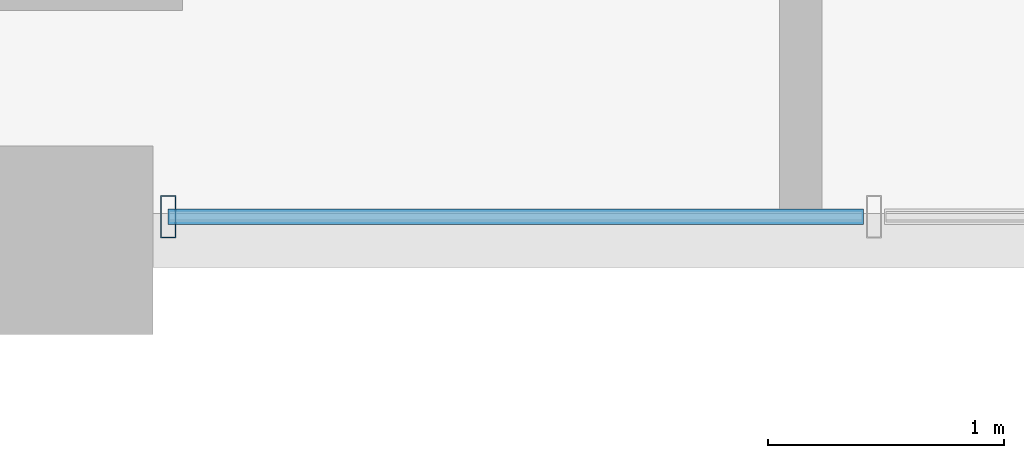
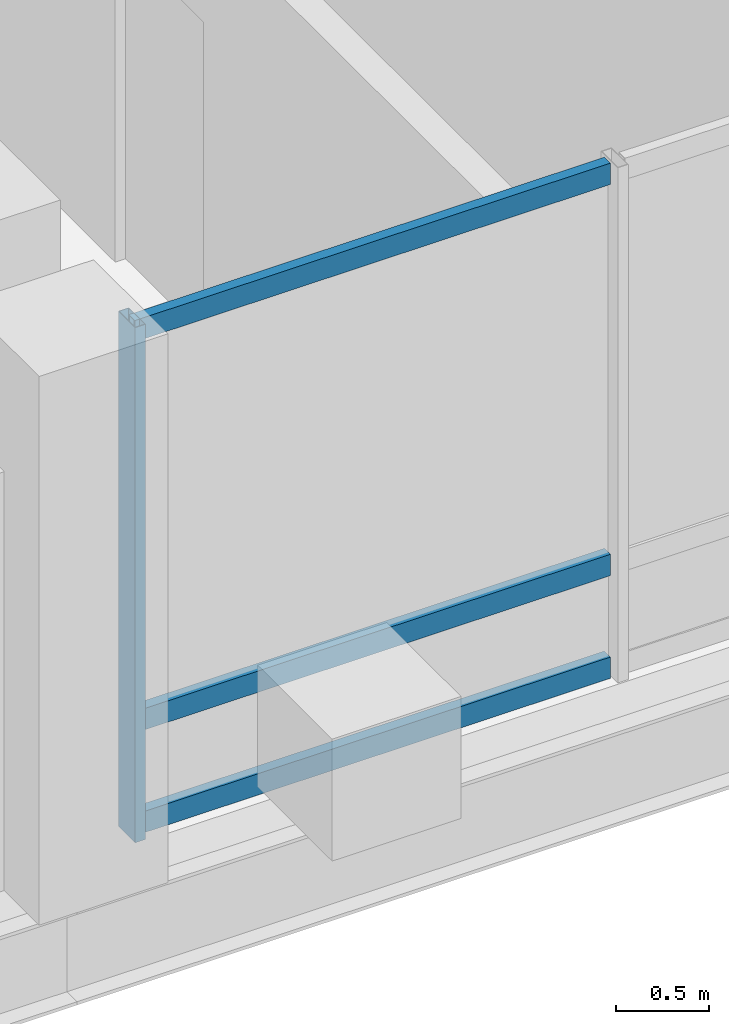
# One storey, part 2 of 24: 4 members, 1 element without a shape of its own.
"""IFC4 building model written with IfcOpenShell, lengths in metres."""

from ifc_helpers import new_model, si_unit, direction, frame, origin, origin_2d, place, context, subcontext, project, spatial, hollow_rectangle, extrude, material, layer, layer_set, material_profile, profile_set, type_object, element, aggregate, save


model = new_model("IFC4")

# Units and contexts
model_context = context("Model", 3, precision=1e-05, world=origin(), true_north=direction((0.0, 1.0)))
body_context = subcontext(model_context, "Body", "Model", "MODEL_VIEW")
ifc_project = project(units=[si_unit("LENGTHUNIT", "METRE"), si_unit("AREAUNIT", "SQUARE_METRE"), si_unit("VOLUMEUNIT", "CUBIC_METRE"), si_unit("PLANEANGLEUNIT", "RADIAN"), si_unit("MASSUNIT", "GRAM", prefix="KILO")], contexts=[model_context])

# Site, building, storey
site_placement = place(None, origin())
site = spatial("IfcSite", under=ifc_project, at=site_placement, CompositionType="ELEMENT")
building_placement = place(site_placement, origin())
building = spatial("IfcBuilding", under=site, at=building_placement, Name="Barlavira Tower and Art Museum", CompositionType="ELEMENT")
storey_placement = place(building_placement, frame((0.0, 0.0, 190.800048828125)))
storey = spatial("IfcBuildingStorey", under=building, at=storey_placement, Name="L49", CompositionType="ELEMENT", Elevation=190.800048828125)

# Curtain wall, members
ifc_material_1 = material(Name="Low-iron coastal laminated glass", Category="glass")
ifc_layer = layer(ifc_material_1, 0.199951171875, Name="Low-iron coastal laminated glass")
ifc_layer_set = layer_set([ifc_layer], Name="Low-iron coastal laminated glass")
curtain_wall_type = type_object("IfcCurtainWallType", Name="Pale-Metal Unitised Curtain Wall Zone 3", PredefinedType="NOTDEFINED", material=ifc_layer_set)
curtain_wall_placement = place(storey_placement, origin())
curtain_wall = element("IfcCurtainWall", 1, at=curtain_wall_placement, inside=storey, type_object=curtain_wall_type, Name="L49 Curtain Wall CW3-L49-S-B3", PredefinedType="NOTDEFINED")
ifc_material_2 = material(Name="Pale anodised aluminium", Category="aluminium")
ifc_material_profile_1 = material_profile(ifc_material_2, hollow_rectangle(XDim=0.06494140625, YDim=0.179931640625, WallThickness=0.00390625, at=origin_2d()), Name="ALU-MULL 65x180x4")
ifc_profile_set_1 = profile_set([ifc_material_profile_1], Name="Pale anodised aluminium")
member_type_1 = type_object("IfcMemberType", Name="Curtain Wall Pale-Metal Mullion 65x180", PredefinedType="MULLION", material=ifc_profile_set_1)
member_1_placement = place(storey_placement, frame((-6.034912109375, -21.39990234375, 0.0), z_axis=(0.0, 0.0, 1.0), x_axis=(1.0, 0.0, 0.0)))
member_1 = element("IfcMember", 2, at=member_1_placement, type_object=member_type_1, Name="CW3-L49-S-B3 Mullion 0", PredefinedType="MULLION", context=body_context, shape_type="SweptSolid", body=[
    extrude(hollow_rectangle(XDim=0.06494140625, YDim=0.179931640625, WallThickness=0.00390625, at=origin_2d()), origin(), (0.0, 0.0, 1.0), 3.3798828125),
])
ifc_material_profile_2 = material_profile(ifc_material_2, hollow_rectangle(XDim=0.06494140625, YDim=0.139892578125, WallThickness=0.00390625, at=origin_2d()), Name="ALU-TRAN 65x140x4")
ifc_profile_set_2 = profile_set([ifc_material_profile_2], Name="Pale anodised aluminium")
member_type_2 = type_object("IfcMemberType", Name="Curtain Wall Pale-Metal Transom 65x140", PredefinedType="USERDEFINED", material=ifc_profile_set_2)
member_2_placement = place(storey_placement, frame((-6.034912109375, -21.39990234375, 0.070068359375), z_axis=(1.0, 0.0, 0.0), x_axis=(0.0, 1.0, 0.0)))
member_2 = element("IfcMember", 3, at=member_2_placement, type_object=member_type_2, Name="CW3-L49-S-B3 Transom 0.1", ObjectType="TRANSOM", PredefinedType="USERDEFINED", context=body_context, shape_type="SweptSolid", body=[
    extrude(hollow_rectangle(XDim=0.06494140625, YDim=0.139892578125, WallThickness=0.00390625, at=origin_2d()), origin(), (0.0, 0.0, 1.0), 2.949951171875),
])
member_3_placement = place(storey_placement, frame((-6.034912109375, -21.39990234375, 0.743896484375), z_axis=(1.0, 0.0, 0.0), x_axis=(0.0, 1.0, 0.0)))
member_3 = element("IfcMember", 4, at=member_3_placement, type_object=member_type_2, Name="CW3-L49-S-B3 Transom 0.2", ObjectType="TRANSOM", PredefinedType="USERDEFINED", context=body_context, shape_type="SweptSolid", body=[
    extrude(hollow_rectangle(XDim=0.06494140625, YDim=0.139892578125, WallThickness=0.00390625, at=origin_2d()), origin(), (0.0, 0.0, 1.0), 2.949951171875),
])
member_4_placement = place(storey_placement, frame((-6.034912109375, -21.39990234375, 3.31005859375), z_axis=(1.0, 0.0, 0.0), x_axis=(0.0, 1.0, 0.0)))
member_4 = element("IfcMember", 5, at=member_4_placement, type_object=member_type_2, Name="CW3-L49-S-B3 Transom 0.3", ObjectType="TRANSOM", PredefinedType="USERDEFINED", context=body_context, shape_type="SweptSolid", body=[
    extrude(hollow_rectangle(XDim=0.06494140625, YDim=0.139892578125, WallThickness=0.00390625, at=origin_2d()), origin(), (0.0, 0.0, 1.0), 2.949951171875),
])
aggregate(curtain_wall, [member_1, member_2, member_3, member_4])

save(model, "model.ifc")
